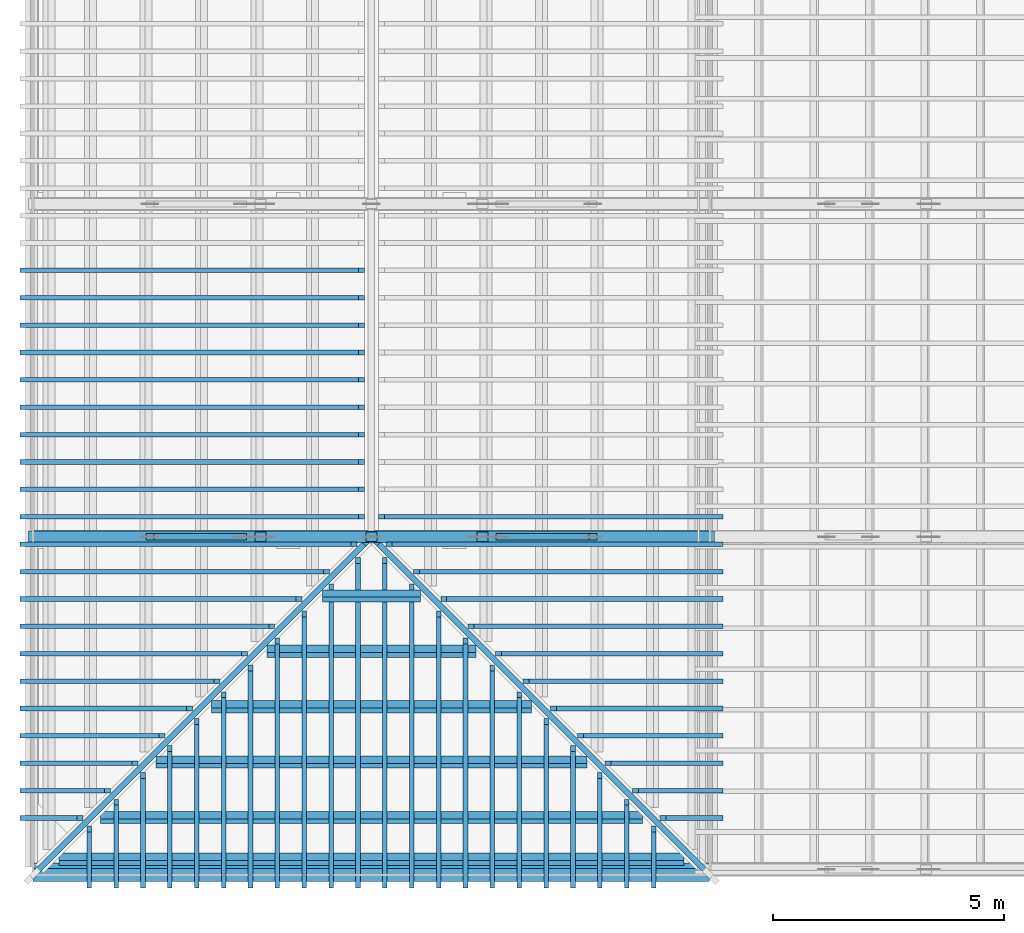
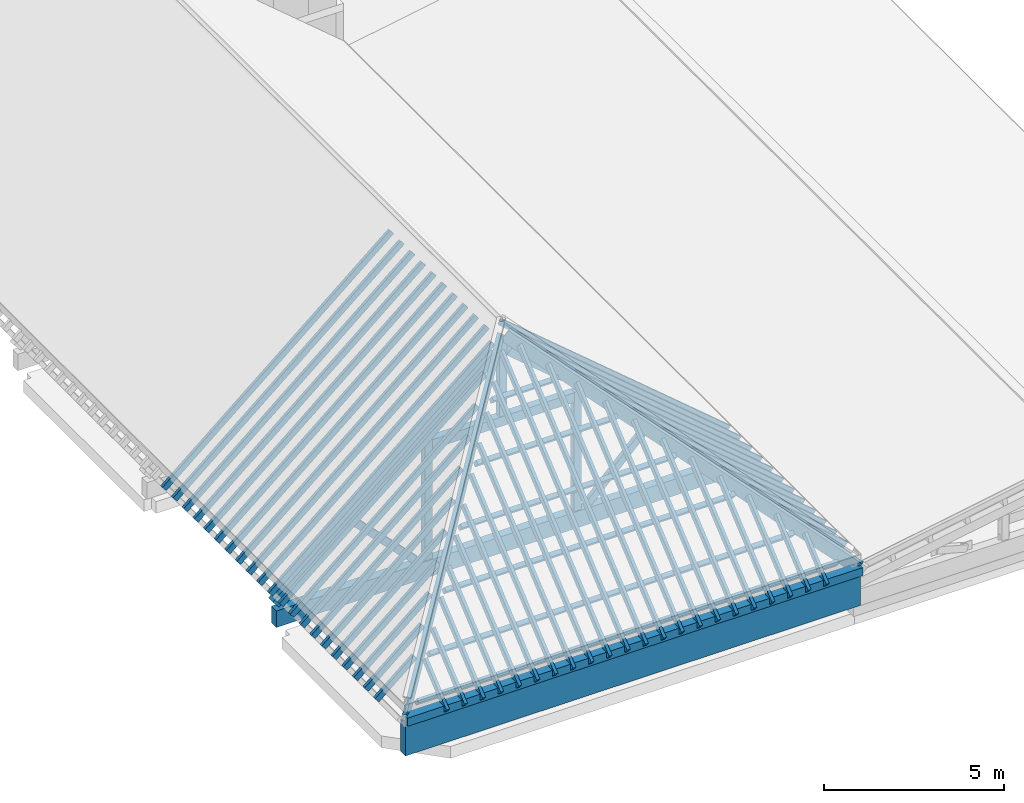
# One storey, part 1 of 28: 71 members, 3 beams.
"""IFC4 building model written with IfcOpenShell, lengths in metres."""

from ifc_helpers import new_model, si_unit, direction, frame, origin, origin_2d, place, context, subcontext, project, spatial, rectangle, extrude, material, material_profile, profile_set, type_object, element, save


model = new_model("IFC4")

# Units and contexts
model_context = context("Model", 3, precision=1e-05, world=origin(), true_north=direction((0.0, 1.0)))
body_context = subcontext(model_context, "Body", "Model", "MODEL_VIEW")
ifc_project = project(units=[si_unit("LENGTHUNIT", "METRE"), si_unit("AREAUNIT", "SQUARE_METRE"), si_unit("VOLUMEUNIT", "CUBIC_METRE"), si_unit("PLANEANGLEUNIT", "RADIAN"), si_unit("MASSUNIT", "GRAM", prefix="KILO")], contexts=[model_context])

# Site, building, storey
site_placement = place(None, origin())
site = spatial("IfcSite", under=ifc_project, at=site_placement, CompositionType="ELEMENT")
building_placement = place(site_placement, origin())
building = spatial("IfcBuilding", under=site, at=building_placement, Name="Mazhai Court Health Centre", CompositionType="ELEMENT")
storey_placement = place(building_placement, frame((0.0, 0.0, 18.0)))
storey = spatial("IfcBuildingStorey", under=building, at=storey_placement, Name="RF", CompositionType="ELEMENT", Elevation=18.0)

# Members
ifc_material_1 = material(Name="Glulam GL24h", Category="wood")
ifc_material_profile_1 = material_profile(ifc_material_1, rectangle(XDim=0.10009765625, YDim=0.199951171875, at=origin_2d()), Name="GL24h 100x200")
ifc_profile_set_1 = profile_set([ifc_material_profile_1], Name="Glulam GL24h")
member_type_1 = type_object("IfcMemberType", Name="GL24h 100x200 rafter", PredefinedType="RAFTER", material=ifc_profile_set_1)
member_1_placement = place(storey_placement, frame((5.860595703125, 7.31494140625, 1.238525390625), z_axis=(0.764256580605, 0.0, 0.644912303342), x_axis=(0.0, 1.0, 0.0)))
element("IfcMember", 1, at=member_1_placement, inside=storey, type_object=member_type_1, Name="Rafter RV2-RF1", PredefinedType="RAFTER", context=body_context, shape_type="SweptSolid", body=[
    extrude(rectangle(XDim=0.10009765625, YDim=0.199951171875, at=origin_2d()), origin(), (0.0, 0.0, 1.0), 1.6162109375),
])
member_2_placement = place(storey_placement, frame((5.860595703125, 7.907470703125, 1.238525390625), z_axis=(0.764214422958, 0.0, 0.644962259162), x_axis=(0.0, 1.0, 0.0)))
element("IfcMember", 2, at=member_2_placement, inside=storey, type_object=member_type_1, Name="Rafter RV2-RF2", PredefinedType="RAFTER", context=body_context, shape_type="SweptSolid", body=[
    extrude(rectangle(XDim=0.10009765625, YDim=0.199951171875, at=origin_2d()), origin(), (0.0, 0.0, 1.0), 2.39111328125),
])
member_3_placement = place(storey_placement, frame((5.860595703125, 8.499755859375, 1.238525390625), z_axis=(0.764224978194, 0.0, 0.644949752077), x_axis=(0.0, 1.0, 0.0)))
element("IfcMember", 3, at=member_3_placement, inside=storey, type_object=member_type_1, Name="Rafter RV2-RF3", PredefinedType="RAFTER", context=body_context, shape_type="SweptSolid", body=[
    extrude(rectangle(XDim=0.10009765625, YDim=0.199951171875, at=origin_2d()), origin(), (0.0, 0.0, 1.0), 3.16650390625),
])
member_4_placement = place(storey_placement, frame((5.860595703125, 9.09228515625, 1.238525390625), z_axis=(0.764231381181, 0.0, 0.644942164863), x_axis=(0.0, 1.0, 0.0)))
element("IfcMember", 4, at=member_4_placement, inside=storey, type_object=member_type_1, Name="Rafter RV2-RF4", PredefinedType="RAFTER", context=body_context, shape_type="SweptSolid", body=[
    extrude(rectangle(XDim=0.10009765625, YDim=0.199951171875, at=origin_2d()), origin(), (0.0, 0.0, 1.0), 3.94189453125),
])
member_5_placement = place(storey_placement, frame((5.860595703125, 9.684814453125, 1.238525390625), z_axis=(0.764235679344, 0.0, 0.644937071672), x_axis=(0.0, 1.0, 0.0)))
element("IfcMember", 5, at=member_5_placement, inside=storey, type_object=member_type_1, Name="Rafter RV2-RF5", PredefinedType="RAFTER", context=body_context, shape_type="SweptSolid", body=[
    extrude(rectangle(XDim=0.10009765625, YDim=0.199951171875, at=origin_2d()), origin(), (0.0, 0.0, 1.0), 4.717041015625),
])
member_6_placement = place(storey_placement, frame((5.860595703125, 10.277099609375, 1.238525390625), z_axis=(0.764220274365, 0.0, 0.644955325778), x_axis=(0.0, 1.0, 0.0)))
element("IfcMember", 6, at=member_6_placement, inside=storey, type_object=member_type_1, Name="Rafter RV2-RF6", PredefinedType="RAFTER", context=body_context, shape_type="SweptSolid", body=[
    extrude(rectangle(XDim=0.10009765625, YDim=0.199951171875, at=origin_2d()), origin(), (0.0, 0.0, 1.0), 5.4921875),
])
member_7_placement = place(storey_placement, frame((5.860595703125, 10.86962890625, 1.238525390625), z_axis=(0.764224883281, 0.0, 0.644949864543), x_axis=(0.0, 1.0, 0.0)))
element("IfcMember", 7, at=member_7_placement, inside=storey, type_object=member_type_1, Name="Rafter RV2-RF7", PredefinedType="RAFTER", context=body_context, shape_type="SweptSolid", body=[
    extrude(rectangle(XDim=0.10009765625, YDim=0.199951171875, at=origin_2d()), origin(), (0.0, 0.0, 1.0), 6.267578125),
])
member_8_placement = place(storey_placement, frame((5.860595703125, 11.462158203125, 1.238525390625), z_axis=(0.764228477435, 0.0, 0.644945605673), x_axis=(0.0, 1.0, 0.0)))
element("IfcMember", 8, at=member_8_placement, inside=storey, type_object=member_type_1, Name="Rafter RV2-RF8", PredefinedType="RAFTER", context=body_context, shape_type="SweptSolid", body=[
    extrude(rectangle(XDim=0.10009765625, YDim=0.199951171875, at=origin_2d()), origin(), (0.0, 0.0, 1.0), 7.042724609375),
])
member_9_placement = place(storey_placement, frame((5.860595703125, 12.0546875, 1.238525390625), z_axis=(0.764218369158, 0.0, 0.644957583288), x_axis=(0.0, 1.0, 0.0)))
element("IfcMember", 9, at=member_9_placement, inside=storey, type_object=member_type_1, Name="Rafter RV2-RF9", PredefinedType="RAFTER", context=body_context, shape_type="SweptSolid", body=[
    extrude(rectangle(XDim=0.10009765625, YDim=0.199951171875, at=origin_2d()), origin(), (0.0, 0.0, 1.0), 7.81787109375),
])
member_10_placement = place(storey_placement, frame((5.860595703125, 12.64697265625, 1.238525390625), z_axis=(0.764221902601, 0.0, 0.644953396444), x_axis=(0.0, 1.0, 0.0)))
element("IfcMember", 10, at=member_10_placement, inside=storey, type_object=member_type_1, Name="Rafter RV2-RF10", PredefinedType="RAFTER", context=body_context, shape_type="SweptSolid", body=[
    extrude(rectangle(XDim=0.10009765625, YDim=0.199951171875, at=origin_2d()), origin(), (0.0, 0.0, 1.0), 8.59326171875),
])
member_11_placement = place(storey_placement, frame((5.860595703125, 13.239501953125, 1.238525390625), z_axis=(0.764224851201, 0.0, 0.644949902556), x_axis=(0.0, 1.0, 0.0)))
element("IfcMember", 11, at=member_11_placement, inside=storey, type_object=member_type_1, Name="Rafter RV2-RF11", PredefinedType="RAFTER", context=body_context, shape_type="SweptSolid", body=[
    extrude(rectangle(XDim=0.10009765625, YDim=0.199951171875, at=origin_2d()), origin(), (0.0, 0.0, 1.0), 9.36865234375),
])
for number, where, z_axis, x_axis, name in (
    (12, (5.860595703125, 13.83203125, 1.238525390625), (0.76421806679, 0.0, 0.644957941568), (0.0, 1.0, 0.0), "Rafter RV2-RF12"),
    (13, (5.860595703125, 14.42431640625, 1.238525390625), (0.76421806679, 0.0, 0.644957941568), (0.0, 1.0, 0.0), "Rafter RV2-RF13"),
    (14, (5.860595703125, 15.016845703125, 1.238525390625), (0.76421806679, 0.0, 0.644957941568), (0.0, 1.0, 0.0), "Rafter RV2-RF14"),
    (15, (5.860595703125, 15.609375, 1.238525390625), (0.76421806679, 0.0, 0.644957941568), (0.0, 1.0, 0.0), "Rafter RV2-RF15"),
    (16, (5.860595703125, 16.201904296875, 1.238525390625), (0.76421806679, 0.0, 0.644957941568), (0.0, 1.0, 0.0), "Rafter RV2-RF16"),
    (17, (5.860595703125, 16.794189453125, 1.238525390625), (0.76421806679, 0.0, 0.644957941568), (0.0, 1.0, 0.0), "Rafter RV2-RF17"),
    (18, (5.860595703125, 17.38671875, 1.238525390625), (0.76421806679, 0.0, 0.644957941568), (0.0, 1.0, 0.0), "Rafter RV2-RF18"),
    (19, (5.860595703125, 17.979248046875, 1.238525390625), (0.76421806679, 0.0, 0.644957941568), (0.0, 1.0, 0.0), "Rafter RV2-RF19"),
    (20, (5.860595703125, 18.571533203125, 1.238525390625), (0.76421806679, 0.0, 0.644957941568), (0.0, 1.0, 0.0), "Rafter RV2-RF20"),
    (21, (5.860595703125, 19.1640625, 1.238525390625), (0.76421806679, 0.0, 0.644957941568), (0.0, 1.0, 0.0), "Rafter RV2-RF21"),
):
    element("IfcMember", number, at=place(storey_placement, frame(where, z_axis=z_axis, x_axis=x_axis)), inside=storey, type_object=member_type_1, Name=name, PredefinedType="RAFTER", context=body_context, shape_type="SweptSolid", body=[
        extrude(rectangle(XDim=0.10009765625, YDim=0.199951171875, at=origin_2d()), origin(), (0.0, 0.0, 1.0), 9.57861328125),
    ])
member_12_placement = place(storey_placement, frame((20.939208984375, 13.83203125, 1.238525390625), z_axis=(-0.76420746406, 0.0, 0.644970504655), x_axis=(0.0, -1.0, 0.0)))
element("IfcMember", 22, at=member_12_placement, inside=storey, type_object=member_type_1, Name="Rafter RV2-RF105", PredefinedType="RAFTER", context=body_context, shape_type="SweptSolid", body=[
    extrude(rectangle(XDim=0.10009765625, YDim=0.199951171875, at=origin_2d()), origin(), (0.0, 0.0, 1.0), 9.578369140625),
])
member_13_placement = place(storey_placement, frame((20.939208984375, 13.239501953125, 1.238525390625), z_axis=(-0.764214011101, 0.0, 0.64496274717), x_axis=(0.0, -1.0, 0.0)))
element("IfcMember", 23, at=member_13_placement, inside=storey, type_object=member_type_1, Name="Rafter RV2-RF106", PredefinedType="RAFTER", context=body_context, shape_type="SweptSolid", body=[
    extrude(rectangle(XDim=0.10009765625, YDim=0.199951171875, at=origin_2d()), origin(), (0.0, 0.0, 1.0), 9.368408203125),
])
member_14_placement = place(storey_placement, frame((20.939208984375, 12.64697265625, 1.238525390625), z_axis=(-0.764210084324, 0.0, 0.644967399965), x_axis=(0.0, -1.0, 0.0)))
element("IfcMember", 24, at=member_14_placement, inside=storey, type_object=member_type_1, Name="Rafter RV2-RF107", PredefinedType="RAFTER", context=body_context, shape_type="SweptSolid", body=[
    extrude(rectangle(XDim=0.10009765625, YDim=0.199951171875, at=origin_2d()), origin(), (0.0, 0.0, 1.0), 8.593017578125),
])
member_15_placement = place(storey_placement, frame((20.939208984375, 12.0546875, 1.238525390625), z_axis=(-0.764218369158, 0.0, 0.644957583288), x_axis=(0.0, -1.0, 0.0)))
element("IfcMember", 25, at=member_15_placement, inside=storey, type_object=member_type_1, Name="Rafter RV2-RF108", PredefinedType="RAFTER", context=body_context, shape_type="SweptSolid", body=[
    extrude(rectangle(XDim=0.10009765625, YDim=0.199951171875, at=origin_2d()), origin(), (0.0, 0.0, 1.0), 7.81787109375),
])
member_16_placement = place(storey_placement, frame((20.939208984375, 11.462158203125, 1.238525390625), z_axis=(-0.764214057714, 0.0, 0.644962691938), x_axis=(0.0, -1.0, 0.0)))
element("IfcMember", 26, at=member_16_placement, inside=storey, type_object=member_type_1, Name="Rafter RV2-RF109", PredefinedType="RAFTER", context=body_context, shape_type="SweptSolid", body=[
    extrude(rectangle(XDim=0.10009765625, YDim=0.199951171875, at=origin_2d()), origin(), (0.0, 0.0, 1.0), 7.042724609375),
])
member_17_placement = place(storey_placement, frame((20.939208984375, 10.86962890625, 1.238525390625), z_axis=(-0.764208679528, 0.0, 0.644969064479), x_axis=(0.0, -1.0, 0.0)))
element("IfcMember", 27, at=member_17_placement, inside=storey, type_object=member_type_1, Name="Rafter RV2-RF110", PredefinedType="RAFTER", context=body_context, shape_type="SweptSolid", body=[
    extrude(rectangle(XDim=0.10009765625, YDim=0.199951171875, at=origin_2d()), origin(), (0.0, 0.0, 1.0), 6.267333984375),
])
member_18_placement = place(storey_placement, frame((20.939208984375, 10.277099609375, 1.238525390625), z_axis=(-0.764201782805, 0.0, 0.644977236154), x_axis=(0.0, -1.0, 0.0)))
element("IfcMember", 28, at=member_18_placement, inside=storey, type_object=member_type_1, Name="Rafter RV2-RF111", PredefinedType="RAFTER", context=body_context, shape_type="SweptSolid", body=[
    extrude(rectangle(XDim=0.10009765625, YDim=0.199951171875, at=origin_2d()), origin(), (0.0, 0.0, 1.0), 5.491943359375),
])
member_19_placement = place(storey_placement, frame((20.939208984375, 9.684814453125, 1.238525390625), z_axis=(-0.764214150293, 0.0, 0.644962582242), x_axis=(0.0, -1.0, 0.0)))
element("IfcMember", 29, at=member_19_placement, inside=storey, type_object=member_type_1, Name="Rafter RV2-RF112", PredefinedType="RAFTER", context=body_context, shape_type="SweptSolid", body=[
    extrude(rectangle(XDim=0.10009765625, YDim=0.199951171875, at=origin_2d()), origin(), (0.0, 0.0, 1.0), 4.717041015625),
])
member_20_placement = place(storey_placement, frame((20.939208984375, 9.09228515625, 1.238525390625), z_axis=(-0.764205616945, 0.0, 0.644972693244), x_axis=(0.0, -1.0, 0.0)))
element("IfcMember", 30, at=member_20_placement, inside=storey, type_object=member_type_1, Name="Rafter RV2-RF113", PredefinedType="RAFTER", context=body_context, shape_type="SweptSolid", body=[
    extrude(rectangle(XDim=0.10009765625, YDim=0.199951171875, at=origin_2d()), origin(), (0.0, 0.0, 1.0), 3.941650390625),
])
member_21_placement = place(storey_placement, frame((20.939208984375, 8.499755859375, 1.238525390625), z_axis=(-0.764192904419, 0.0, 0.644987755571), x_axis=(0.0, -1.0, 0.0)))
element("IfcMember", 31, at=member_21_placement, inside=storey, type_object=member_type_1, Name="Rafter RV2-RF114", PredefinedType="RAFTER", context=body_context, shape_type="SweptSolid", body=[
    extrude(rectangle(XDim=0.10009765625, YDim=0.199951171875, at=origin_2d()), origin(), (0.0, 0.0, 1.0), 3.166259765625),
])
member_22_placement = place(storey_placement, frame((20.939208984375, 7.907470703125, 1.238525390625), z_axis=(-0.764214422958, 0.0, 0.644962259162), x_axis=(0.0, -1.0, 0.0)))
element("IfcMember", 32, at=member_22_placement, inside=storey, type_object=member_type_1, Name="Rafter RV2-RF115", PredefinedType="RAFTER", context=body_context, shape_type="SweptSolid", body=[
    extrude(rectangle(XDim=0.10009765625, YDim=0.199951171875, at=origin_2d()), origin(), (0.0, 0.0, 1.0), 2.39111328125),
])
member_23_placement = place(storey_placement, frame((20.939208984375, 7.31494140625, 1.238525390625), z_axis=(-0.764193738454, 0.0, 0.64498676739), x_axis=(0.0, -1.0, 0.0)))
element("IfcMember", 33, at=member_23_placement, inside=storey, type_object=member_type_1, Name="Rafter RV2-RF116", PredefinedType="RAFTER", context=body_context, shape_type="SweptSolid", body=[
    extrude(rectangle(XDim=0.10009765625, YDim=0.199951171875, at=origin_2d()), origin(), (0.0, 0.0, 1.0), 1.615966796875),
])
member_24_placement = place(storey_placement, frame((19.5068359375, 5.860595703125, 1.238525390625), z_axis=(0.0, 0.764248850127, 0.644921464272), x_axis=(-1.0, 0.0, 0.0)))
element("IfcMember", 34, at=member_24_placement, inside=storey, type_object=member_type_1, Name="Rafter RV2-RF117", PredefinedType="RAFTER", context=body_context, shape_type="SweptSolid", body=[
    extrude(rectangle(XDim=0.10009765625, YDim=0.199951171875, at=origin_2d()), origin(), (0.0, 0.0, 1.0), 1.587646484375),
])
member_25_placement = place(storey_placement, frame((18.92529296875, 5.860595703125, 1.238525390625), z_axis=(0.0, 0.764253056187, 0.644916479949), x_axis=(-1.0, 0.0, 0.0)))
element("IfcMember", 35, at=member_25_placement, inside=storey, type_object=member_type_1, Name="Rafter RV2-RF118", PredefinedType="RAFTER", context=body_context, shape_type="SweptSolid", body=[
    extrude(rectangle(XDim=0.10009765625, YDim=0.199951171875, at=origin_2d()), origin(), (0.0, 0.0, 1.0), 2.3486328125),
])
member_26_placement = place(storey_placement, frame((18.343505859375, 5.860595703125, 1.238525390625), z_axis=(0.0, 0.764216506427, 0.644959790456), x_axis=(-1.0, 0.0, 0.0)))
element("IfcMember", 36, at=member_26_placement, inside=storey, type_object=member_type_1, Name="Rafter RV2-RF119", PredefinedType="RAFTER", context=body_context, shape_type="SweptSolid", body=[
    extrude(rectangle(XDim=0.10009765625, YDim=0.199951171875, at=origin_2d()), origin(), (0.0, 0.0, 1.0), 3.109619140625),
])
member_27_placement = place(storey_placement, frame((17.761962890625, 5.860595703125, 1.238525390625), z_axis=(0.0, 0.764225417306, 0.644949231756), x_axis=(-1.0, 0.0, 0.0)))
element("IfcMember", 37, at=member_27_placement, inside=storey, type_object=member_type_1, Name="Rafter RV2-RF120", PredefinedType="RAFTER", context=body_context, shape_type="SweptSolid", body=[
    extrude(rectangle(XDim=0.10009765625, YDim=0.199951171875, at=origin_2d()), origin(), (0.0, 0.0, 1.0), 3.87060546875),
])
member_28_placement = place(storey_placement, frame((17.180419921875, 5.860595703125, 1.238525390625), z_axis=(0.0, 0.76422734497, 0.644946947586), x_axis=(-1.0, 0.0, 0.0)))
element("IfcMember", 38, at=member_28_placement, inside=storey, type_object=member_type_1, Name="Rafter RV2-RF121", PredefinedType="RAFTER", context=body_context, shape_type="SweptSolid", body=[
    extrude(rectangle(XDim=0.10009765625, YDim=0.199951171875, at=origin_2d()), origin(), (0.0, 0.0, 1.0), 4.6318359375),
])
member_29_placement = place(storey_placement, frame((16.598876953125, 5.860595703125, 1.238525390625), z_axis=(0.0, 0.764232211233, 0.644941181282), x_axis=(-1.0, 0.0, 0.0)))
element("IfcMember", 39, at=member_29_placement, inside=storey, type_object=member_type_1, Name="Rafter RV2-RF122", PredefinedType="RAFTER", context=body_context, shape_type="SweptSolid", body=[
    extrude(rectangle(XDim=0.10009765625, YDim=0.199951171875, at=origin_2d()), origin(), (0.0, 0.0, 1.0), 5.392822265625),
])
member_30_placement = place(storey_placement, frame((16.01708984375, 5.860595703125, 1.238525390625), z_axis=(0.0, 0.764216319603, 0.644960011825), x_axis=(-1.0, 0.0, 0.0)))
element("IfcMember", 40, at=member_30_placement, inside=storey, type_object=member_type_1, Name="Rafter RV2-RF123", PredefinedType="RAFTER", context=body_context, shape_type="SweptSolid", body=[
    extrude(rectangle(XDim=0.10009765625, YDim=0.199951171875, at=origin_2d()), origin(), (0.0, 0.0, 1.0), 6.15380859375),
])
member_31_placement = place(storey_placement, frame((15.435546875, 5.860595703125, 1.238525390625), z_axis=(0.0, 0.764221328106, 0.644954077178), x_axis=(-1.0, 0.0, 0.0)))
element("IfcMember", 41, at=member_31_placement, inside=storey, type_object=member_type_1, Name="Rafter RV2-RF124", PredefinedType="RAFTER", context=body_context, shape_type="SweptSolid", body=[
    extrude(rectangle(XDim=0.10009765625, YDim=0.199951171875, at=origin_2d()), origin(), (0.0, 0.0, 1.0), 6.914794921875),
])
member_32_placement = place(storey_placement, frame((14.85400390625, 5.860595703125, 1.238525390625), z_axis=(0.0, 0.764222896845, 0.644952218338), x_axis=(-1.0, 0.0, 0.0)))
element("IfcMember", 42, at=member_32_placement, inside=storey, type_object=member_type_1, Name="Rafter RV2-RF125", PredefinedType="RAFTER", context=body_context, shape_type="SweptSolid", body=[
    extrude(rectangle(XDim=0.10009765625, YDim=0.199951171875, at=origin_2d()), origin(), (0.0, 0.0, 1.0), 7.676025390625),
])
member_33_placement = place(storey_placement, frame((14.2724609375, 5.860595703125, 1.238525390625), z_axis=(0.0, 0.764226408488, 0.644948057265), x_axis=(-1.0, 0.0, 0.0)))
element("IfcMember", 43, at=member_33_placement, inside=storey, type_object=member_type_1, Name="Rafter RV2-RF126", PredefinedType="RAFTER", context=body_context, shape_type="SweptSolid", body=[
    extrude(rectangle(XDim=0.10009765625, YDim=0.199951171875, at=origin_2d()), origin(), (0.0, 0.0, 1.0), 8.43701171875),
])
for number, where, z_axis, x_axis, name in (
    (44, (13.69091796875, 5.860595703125, 1.238525390625), (0.0, 0.764229339092, 0.644944584651), (-1.0, 0.0, 0.0), "Rafter RV2-RF127"),
    (45, (13.109130859375, 5.860595703125, 1.238525390625), (0.0, 0.764229339092, 0.644944584651), (-1.0, 0.0, 0.0), "Rafter RV2-RF128"),
):
    element("IfcMember", number, at=place(storey_placement, frame(where, z_axis=z_axis, x_axis=x_axis)), inside=storey, type_object=member_type_1, Name=name, PredefinedType="RAFTER", context=body_context, shape_type="SweptSolid", body=[
        extrude(rectangle(XDim=0.10009765625, YDim=0.199951171875, at=origin_2d()), origin(), (0.0, 0.0, 1.0), 9.197998046875),
    ])
member_34_placement = place(storey_placement, frame((12.527587890625, 5.860595703125, 1.238525390625), z_axis=(0.0, 0.764226408488, 0.644948057265), x_axis=(-1.0, 0.0, 0.0)))
element("IfcMember", 46, at=member_34_placement, inside=storey, type_object=member_type_1, Name="Rafter RV2-RF129", PredefinedType="RAFTER", context=body_context, shape_type="SweptSolid", body=[
    extrude(rectangle(XDim=0.10009765625, YDim=0.199951171875, at=origin_2d()), origin(), (0.0, 0.0, 1.0), 8.43701171875),
])
member_35_placement = place(storey_placement, frame((11.946044921875, 5.860595703125, 1.238525390625), z_axis=(0.0, 0.764222896845, 0.644952218338), x_axis=(-1.0, 0.0, 0.0)))
element("IfcMember", 47, at=member_35_placement, inside=storey, type_object=member_type_1, Name="Rafter RV2-RF130", PredefinedType="RAFTER", context=body_context, shape_type="SweptSolid", body=[
    extrude(rectangle(XDim=0.10009765625, YDim=0.199951171875, at=origin_2d()), origin(), (0.0, 0.0, 1.0), 7.676025390625),
])
member_36_placement = place(storey_placement, frame((11.364501953125, 5.860595703125, 1.238525390625), z_axis=(0.0, 0.764221328106, 0.644954077178), x_axis=(-1.0, 0.0, 0.0)))
element("IfcMember", 48, at=member_36_placement, inside=storey, type_object=member_type_1, Name="Rafter RV2-RF131", PredefinedType="RAFTER", context=body_context, shape_type="SweptSolid", body=[
    extrude(rectangle(XDim=0.10009765625, YDim=0.199951171875, at=origin_2d()), origin(), (0.0, 0.0, 1.0), 6.914794921875),
])
member_37_placement = place(storey_placement, frame((10.78271484375, 5.860595703125, 1.238525390625), z_axis=(0.0, 0.764216319603, 0.644960011825), x_axis=(-1.0, 0.0, 0.0)))
element("IfcMember", 49, at=member_37_placement, inside=storey, type_object=member_type_1, Name="Rafter RV2-RF132", PredefinedType="RAFTER", context=body_context, shape_type="SweptSolid", body=[
    extrude(rectangle(XDim=0.10009765625, YDim=0.199951171875, at=origin_2d()), origin(), (0.0, 0.0, 1.0), 6.15380859375),
])
member_38_placement = place(storey_placement, frame((10.201171875, 5.860595703125, 1.238525390625), z_axis=(0.0, 0.764232211233, 0.644941181282), x_axis=(-1.0, 0.0, 0.0)))
element("IfcMember", 50, at=member_38_placement, inside=storey, type_object=member_type_1, Name="Rafter RV2-RF133", PredefinedType="RAFTER", context=body_context, shape_type="SweptSolid", body=[
    extrude(rectangle(XDim=0.10009765625, YDim=0.199951171875, at=origin_2d()), origin(), (0.0, 0.0, 1.0), 5.392822265625),
])
member_39_placement = place(storey_placement, frame((9.61962890625, 5.860595703125, 1.238525390625), z_axis=(0.0, 0.76422734497, 0.644946947586), x_axis=(-1.0, 0.0, 0.0)))
element("IfcMember", 51, at=member_39_placement, inside=storey, type_object=member_type_1, Name="Rafter RV2-RF134", PredefinedType="RAFTER", context=body_context, shape_type="SweptSolid", body=[
    extrude(rectangle(XDim=0.10009765625, YDim=0.199951171875, at=origin_2d()), origin(), (0.0, 0.0, 1.0), 4.6318359375),
])
member_40_placement = place(storey_placement, frame((9.0380859375, 5.860595703125, 1.238525390625), z_axis=(0.0, 0.764225417306, 0.644949231756), x_axis=(-1.0, 0.0, 0.0)))
element("IfcMember", 52, at=member_40_placement, inside=storey, type_object=member_type_1, Name="Rafter RV2-RF135", PredefinedType="RAFTER", context=body_context, shape_type="SweptSolid", body=[
    extrude(rectangle(XDim=0.10009765625, YDim=0.199951171875, at=origin_2d()), origin(), (0.0, 0.0, 1.0), 3.87060546875),
])
member_41_placement = place(storey_placement, frame((8.456298828125, 5.860595703125, 1.238525390625), z_axis=(0.0, 0.764216506427, 0.644959790456), x_axis=(-1.0, 0.0, 0.0)))
element("IfcMember", 53, at=member_41_placement, inside=storey, type_object=member_type_1, Name="Rafter RV2-RF136", PredefinedType="RAFTER", context=body_context, shape_type="SweptSolid", body=[
    extrude(rectangle(XDim=0.10009765625, YDim=0.199951171875, at=origin_2d()), origin(), (0.0, 0.0, 1.0), 3.109619140625),
])
member_42_placement = place(storey_placement, frame((7.874755859375, 5.860595703125, 1.238525390625), z_axis=(0.0, 0.764253056187, 0.644916479949), x_axis=(-1.0, 0.0, 0.0)))
element("IfcMember", 54, at=member_42_placement, inside=storey, type_object=member_type_1, Name="Rafter RV2-RF137", PredefinedType="RAFTER", context=body_context, shape_type="SweptSolid", body=[
    extrude(rectangle(XDim=0.10009765625, YDim=0.199951171875, at=origin_2d()), origin(), (0.0, 0.0, 1.0), 2.3486328125),
])
member_43_placement = place(storey_placement, frame((7.293212890625, 5.860595703125, 1.238525390625), z_axis=(0.0, 0.764248850127, 0.644921464272), x_axis=(-1.0, 0.0, 0.0)))
element("IfcMember", 55, at=member_43_placement, inside=storey, type_object=member_type_1, Name="Rafter RV2-RF138", PredefinedType="RAFTER", context=body_context, shape_type="SweptSolid", body=[
    extrude(rectangle(XDim=0.10009765625, YDim=0.199951171875, at=origin_2d()), origin(), (0.0, 0.0, 1.0), 1.587646484375),
])
ifc_material_2 = material(Name="Glulam GL24h", Category="wood")
ifc_material_profile_2 = material_profile(ifc_material_2, rectangle(XDim=0.1201171875, YDim=0.43994140625, at=origin_2d()), Name="GL24h 120x440")
ifc_profile_set_2 = profile_set([ifc_material_profile_2], Name="Glulam GL24h")
member_type_2 = type_object("IfcMemberType", Name="GL24h 120x440 hip rafter", PredefinedType="RAFTER", material=ifc_profile_set_2)
for number, where, z_axis, x_axis, name in (
    (56, (6.108154296875, 6.108154296875, 1.2587890625), (0.607211751509, 0.607211751509, 0.512433193362), (-0.707106781187, 0.707106781187, 0.0), "Hip rafter RV2-HR1"),
    (57, (20.69189453125, 6.108154296875, 1.2587890625), (-0.607211751509, 0.607211751509, 0.512433193362), (-0.707106781187, -0.707106781187, 0.0), "Hip rafter RV2-HR5"),
):
    element("IfcMember", number, at=place(storey_placement, frame(where, z_axis=z_axis, x_axis=x_axis)), inside=storey, type_object=member_type_2, Name=name, PredefinedType="RAFTER", context=body_context, shape_type="SweptSolid", body=[
        extrude(rectangle(XDim=0.1201171875, YDim=0.43994140625, at=origin_2d()), origin(), (0.0, 0.0, 1.0), 11.87744140625),
    ])
ifc_material_3 = material(Name="Glulam GL24h", Category="wood")
ifc_material_profile_3 = material_profile(ifc_material_3, rectangle(XDim=0.139892578125, YDim=0.239990234375, at=origin_2d()), Name="GL24h 140x240")
ifc_profile_set_3 = profile_set([ifc_material_profile_3], Name="Glulam GL24h")
member_type_3 = type_object("IfcMemberType", Name="GL24h 140x240 purlin", PredefinedType="PURLIN", material=ifc_profile_set_3)
member_44_placement = place(storey_placement, frame((6.638427734375, 6.422607421875, 1.4248046875), z_axis=(1.0, 0.0, 0.0), x_axis=(0.0, 0.764220419975, 0.644955153242)))
element("IfcMember", 58, at=member_44_placement, inside=storey, type_object=member_type_3, Name="Purlin RV2-PU15", PredefinedType="PURLIN", context=body_context, shape_type="SweptSolid", body=[
    extrude(rectangle(XDim=0.139892578125, YDim=0.239990234375, at=origin_2d()), origin(), (0.0, 0.0, 1.0), 13.523193359375),
])
member_45_placement = place(storey_placement, frame((7.538330078125, 7.322509765625, 2.184326171875), z_axis=(1.0, 0.0, 0.0), x_axis=(0.0, 0.764220419975, 0.644955153242)))
element("IfcMember", 59, at=member_45_placement, inside=storey, type_object=member_type_3, Name="Purlin RV2-PU16", PredefinedType="PURLIN", context=body_context, shape_type="SweptSolid", body=[
    extrude(rectangle(XDim=0.139892578125, YDim=0.239990234375, at=origin_2d()), origin(), (0.0, 0.0, 1.0), 11.723388671875),
])
member_46_placement = place(storey_placement, frame((8.73828125, 8.522705078125, 3.197265625), z_axis=(1.0, 0.0, 0.0), x_axis=(0.0, 0.764220419975, 0.644955153242)))
element("IfcMember", 60, at=member_46_placement, inside=storey, type_object=member_type_3, Name="Purlin RV2-PU17", PredefinedType="PURLIN", context=body_context, shape_type="SweptSolid", body=[
    extrude(rectangle(XDim=0.139892578125, YDim=0.239990234375, at=origin_2d()), origin(), (0.0, 0.0, 1.0), 9.323486328125),
])
member_47_placement = place(storey_placement, frame((9.938232421875, 9.72265625, 4.2099609375), z_axis=(1.0, 0.0, 0.0), x_axis=(0.0, 0.764220419975, 0.644955153242)))
element("IfcMember", 61, at=member_47_placement, inside=storey, type_object=member_type_3, Name="Purlin RV2-PU18", PredefinedType="PURLIN", context=body_context, shape_type="SweptSolid", body=[
    extrude(rectangle(XDim=0.139892578125, YDim=0.239990234375, at=origin_2d()), origin(), (0.0, 0.0, 1.0), 6.92333984375),
])
member_48_placement = place(storey_placement, frame((11.138427734375, 10.922607421875, 5.22265625), z_axis=(1.0, 0.0, 0.0), x_axis=(0.0, 0.764220419975, 0.644955153242)))
element("IfcMember", 62, at=member_48_placement, inside=storey, type_object=member_type_3, Name="Purlin RV2-PU19", PredefinedType="PURLIN", context=body_context, shape_type="SweptSolid", body=[
    extrude(rectangle(XDim=0.139892578125, YDim=0.239990234375, at=origin_2d()), origin(), (0.0, 0.0, 1.0), 4.523193359375),
])
member_49_placement = place(storey_placement, frame((12.33837890625, 12.12255859375, 6.2353515625), z_axis=(1.0, 0.0, 0.0), x_axis=(0.0, 0.764220419975, 0.644955153242)))
element("IfcMember", 63, at=member_49_placement, inside=storey, type_object=member_type_3, Name="Purlin RV2-PU20", PredefinedType="PURLIN", context=body_context, shape_type="SweptSolid", body=[
    extrude(rectangle(XDim=0.139892578125, YDim=0.239990234375, at=origin_2d()), origin(), (0.0, 0.0, 1.0), 2.123291015625),
])
ifc_material_4 = material(Name="Glulam GL24h", Category="wood")
ifc_material_profile_4 = material_profile(ifc_material_4, rectangle(XDim=0.139892578125, YDim=0.239990234375, at=origin_2d()), Name="GL24h 140x240")
ifc_profile_set_4 = profile_set([ifc_material_profile_4], Name="Glulam GL24h")
member_type_4 = type_object("IfcMemberType", Name="GL24h 140x240 strut", PredefinedType="BRACE", material=ifc_profile_set_4)
for number, where, z_axis, x_axis, name in (
    (64, (16.18408203125, 13.39990234375, 0.644287109375), (0.702439843962, 0.0, 0.711743117715), (0.0, 1.0, 0.0), "Strut TV2-1-S1"),
    (65, (10.615966796875, 13.39990234375, 0.644287109375), (-0.702439843962, 0.0, 0.711743117715), (0.0, -1.0, 0.0), "Strut TV2-1-S2"),
):
    element("IfcMember", number, at=place(storey_placement, frame(where, z_axis=z_axis, x_axis=x_axis)), inside=storey, type_object=member_type_4, Name=name, PredefinedType="BRACE", context=body_context, shape_type="SweptSolid", body=[
        extrude(rectangle(XDim=0.139892578125, YDim=0.239990234375, at=origin_2d()), origin(), (0.0, 0.0, 1.0), 2.8603515625),
    ])

# Beam
ifc_material_5 = material(Name="Glulam GL24h", Category="wood")
ifc_material_profile_5 = material_profile(ifc_material_5, rectangle(XDim=0.280029296875, YDim=0.280029296875, at=origin_2d()), Name="GL24h 280x280")
ifc_profile_set_5 = profile_set([ifc_material_profile_5], Name="Glulam GL24h")
beam_type_1 = type_object("IfcBeamType", Name="GL24h 280x280 hip end wall plate", PredefinedType="BEAM", material=ifc_profile_set_5)
beam_1_placement = place(storey_placement, frame((6.080078125, 6.080078125, 1.219970703125), z_axis=(1.0, 0.0, 0.0), x_axis=(0.0, 1.0, 0.0)))
element("IfcBeam", 66, at=beam_1_placement, inside=storey, type_object=beam_type_1, Name="beam-V2-hipplate0", PredefinedType="BEAM", context=body_context, shape_type="SweptSolid", body=[
    extrude(rectangle(XDim=0.280029296875, YDim=0.280029296875, at=origin_2d()), origin(), (0.0, 0.0, 1.0), 14.639892578125),
])

# Members
ifc_material_6 = material(Name="Glulam GL28h", Category="wood")
ifc_material_profile_6 = material_profile(ifc_material_6, rectangle(XDim=0.199951171875, YDim=0.239990234375, at=origin_2d()), Name="GL28h 200x240")
ifc_profile_set_6 = profile_set([ifc_material_profile_6], Name="Glulam GL28h")
member_type_5 = type_object("IfcMemberType", Name="GL28h 200x240 post", PredefinedType="POST", material=ifc_profile_set_6)
for number, where, z_axis, x_axis, name in (
    (67, (15.800048828125, 13.39990234375, 0.56005859375), (0.0, 0.0, 1.0), (0.0, 1.0, 0.0), "Post TV2-1-P1"),
    (68, (11.0, 13.39990234375, 0.56005859375), (0.0, 0.0, 1.0), (0.0, 1.0, 0.0), "Post TV2-1-P2"),
):
    element("IfcMember", number, at=place(storey_placement, frame(where, z_axis=z_axis, x_axis=x_axis)), inside=storey, type_object=member_type_5, Name=name, PredefinedType="POST", context=body_context, shape_type="SweptSolid", body=[
        extrude(rectangle(XDim=0.199951171875, YDim=0.239990234375, at=origin_2d()), origin(), (0.0, 0.0, 1.0), 4.05078125),
    ])
member_50_placement = place(storey_placement, frame((13.39990234375, 13.39990234375, 4.61083984375), z_axis=(0.0, 0.0, 1.0), x_axis=(0.0, 1.0, 0.0)))
element("IfcMember", 69, at=member_50_placement, inside=storey, type_object=member_type_5, Name="Post TV2-1-P3", PredefinedType="POST", context=body_context, shape_type="SweptSolid", body=[
    extrude(rectangle(XDim=0.199951171875, YDim=0.239990234375, at=origin_2d()), origin(), (0.0, 0.0, 1.0), 2.61962890625),
])
ifc_material_7 = material(Name="Glulam GL28h", Category="wood")
ifc_material_profile_7 = material_profile(ifc_material_7, rectangle(XDim=0.239990234375, YDim=0.320068359375, at=origin_2d()), Name="GL28h 240x320")
ifc_profile_set_7 = profile_set([ifc_material_profile_7], Name="Glulam GL28h")
member_type_6 = type_object("IfcMemberType", Name="GL28h 240x320 collar", PredefinedType="COLLAR", material=ifc_profile_set_7)
member_51_placement = place(storey_placement, frame((15.679931640625, 13.39990234375, 4.450927734375), z_axis=(-1.0, 0.0, 0.0), x_axis=(0.0, -1.0, 0.0)))
element("IfcMember", 70, at=member_51_placement, inside=storey, type_object=member_type_6, Name="Collar TV2-1-SB1", PredefinedType="COLLAR", context=body_context, shape_type="SweptSolid", body=[
    extrude(rectangle(XDim=0.239990234375, YDim=0.320068359375, at=origin_2d()), origin(), (0.0, 0.0, 1.0), 4.559814453125),
])
ifc_material_8 = material(Name="Glulam GL28h", Category="wood")
ifc_material_profile_8 = material_profile(ifc_material_8, rectangle(XDim=0.239990234375, YDim=0.320068359375, at=origin_2d()), Name="GL28h 240x320")
ifc_profile_set_8 = profile_set([ifc_material_profile_8], Name="Glulam GL28h")
member_type_7 = type_object("IfcMemberType", Name="GL28h 240x320 rafter", PredefinedType="CHORD", material=ifc_profile_set_8)
for number, where, z_axis, x_axis, name in (
    (71, (20.719970703125, 13.39990234375, 0.769287109375), (-0.764219553814, 0.0, 0.644956179573), (0.0, -1.0, 0.0), "Rafter TV2-1-R1"),
    (72, (13.19189453125, 13.39990234375, 6.771240234375), (-0.764219553814, 0.0, -0.644956179573), (0.0, -1.0, 0.0), "Rafter TV2-1-R8"),
):
    element("IfcMember", number, at=place(storey_placement, frame(where, z_axis=z_axis, x_axis=x_axis)), inside=storey, type_object=member_type_7, Name=name, PredefinedType="CHORD", context=body_context, shape_type="SweptSolid", body=[
        extrude(rectangle(XDim=0.239990234375, YDim=0.320068359375, at=origin_2d()), origin(), (0.0, 0.0, 1.0), 9.305908203125),
    ])

# Beams
ifc_material_9 = material(Name="Glulam GL28h", Category="wood")
ifc_material_profile_9 = material_profile(ifc_material_9, rectangle(XDim=0.280029296875, YDim=1.080078125, at=origin_2d()), Name="GL28h 280x1080")
ifc_profile_set_9 = profile_set([ifc_material_profile_9], Name="Glulam GL28h")
beam_type_2 = type_object("IfcBeamType", Name="GL28h 280x1080 hip end beam", PredefinedType="BEAM", material=ifc_profile_set_9)
beam_2_placement = place(storey_placement, frame((6.080078125, 6.199951171875, 0.5400390625), z_axis=(1.0, 0.0, 0.0), x_axis=(0.0, 1.0, 0.0)))
element("IfcBeam", 73, at=beam_2_placement, inside=storey, type_object=beam_type_2, Name="beam-V2-hipend0", PredefinedType="BEAM", context=body_context, shape_type="SweptSolid", body=[
    extrude(rectangle(XDim=0.280029296875, YDim=1.080078125, at=origin_2d()), origin(), (0.0, 0.0, 1.0), 14.639892578125),
])
ifc_material_10 = material(Name="Glulam GL28h", Category="wood")
ifc_material_profile_10 = material_profile(ifc_material_10, rectangle(XDim=0.280029296875, YDim=0.56005859375, at=origin_2d()), Name="GL28h 280x560")
ifc_profile_set_10 = profile_set([ifc_material_profile_10], Name="Glulam GL28h")
beam_type_3 = type_object("IfcBeamType", Name="GL28h 280x560 tie", PredefinedType="BEAM", material=ifc_profile_set_10)
beam_3_placement = place(storey_placement, frame((20.719970703125, 13.39990234375, 0.280029296875), z_axis=(-1.0, 0.0, 0.0), x_axis=(0.0, -1.0, 0.0)))
element("IfcBeam", 74, at=beam_3_placement, inside=storey, type_object=beam_type_3, Name="Tie TV2-1-TB1", PredefinedType="BEAM", context=body_context, shape_type="SweptSolid", body=[
    extrude(rectangle(XDim=0.280029296875, YDim=0.56005859375, at=origin_2d()), origin(), (0.0, 0.0, 1.0), 14.639892578125),
])

save(model, "model.ifc")
